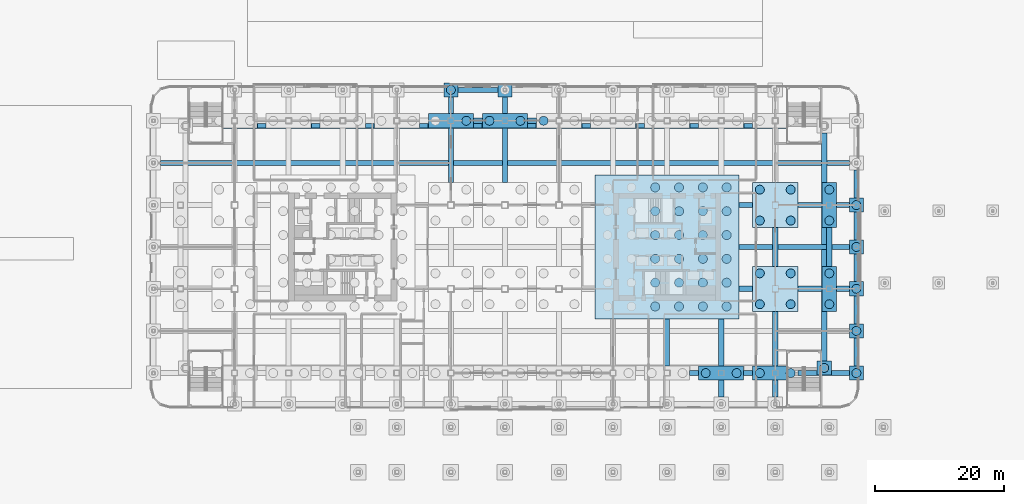
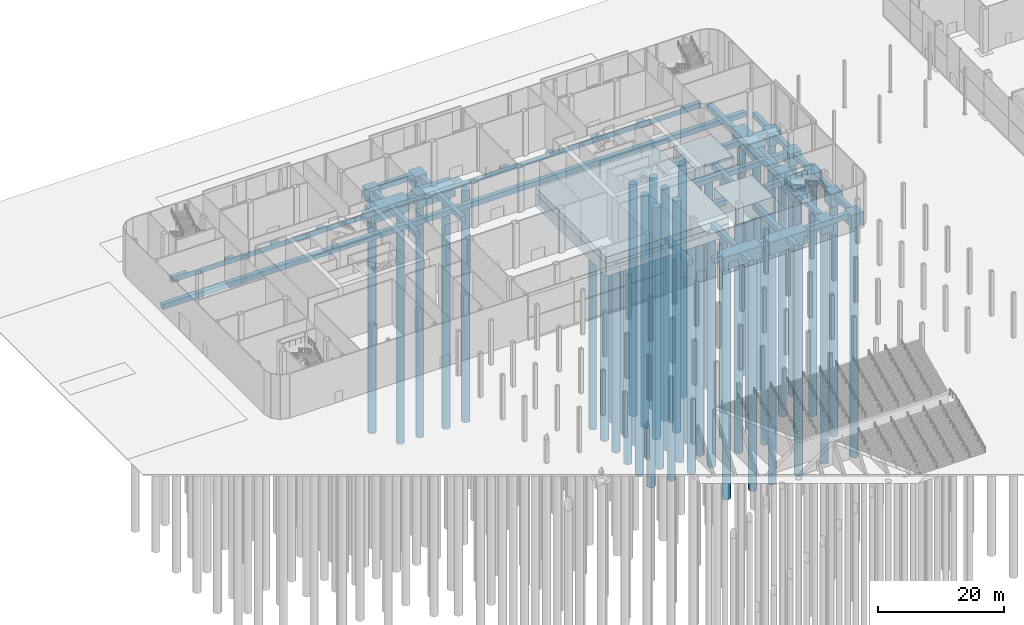
# One storey, part 5 of 113: 51 piles, 50 footings.
"""IFC4 building model written with IfcOpenShell, lengths in metres."""

from ifc_helpers import new_model, si_unit, direction, frame, origin, origin_2d, place, context, subcontext, project, spatial, polyline, circle, outline, extrude, material, layer, layer_set, material_profile, profile_set, type_object, element, save


model = new_model("IFC4")

# Units and contexts
model_context = context("Model", 3, precision=1e-05, world=origin(), true_north=direction((0.0, 1.0)))
body_context = subcontext(model_context, "Body", "Model", "MODEL_VIEW")
ifc_project = project(units=[si_unit("LENGTHUNIT", "METRE"), si_unit("AREAUNIT", "SQUARE_METRE"), si_unit("VOLUMEUNIT", "CUBIC_METRE"), si_unit("PLANEANGLEUNIT", "RADIAN"), si_unit("MASSUNIT", "GRAM", prefix="KILO")], contexts=[model_context])

# Site, building, storey
site_placement = place(None, origin())
site = spatial("IfcSite", under=ifc_project, at=site_placement, CompositionType="ELEMENT")
building_placement = place(site_placement, origin())
building = spatial("IfcBuilding", under=site, at=building_placement, Name="Hakoniwa Tower and Hamabe Station Hall", CompositionType="ELEMENT")
storey_placement = place(building_placement, origin())
storey = spatial("IfcBuildingStorey", under=building, at=storey_placement, Name="L01", CompositionType="ELEMENT", Elevation=0.0)

# Piles
ifc_material_1 = material(Name="Concrete C36", Category="concrete")
ifc_material_profile = material_profile(ifc_material_1, circle(Radius=0.699951171875, at=origin_2d()), Name="BORED PILE D1400")
ifc_profile_set = profile_set([ifc_material_profile], Name="Concrete C36")
pile_type = type_object("IfcPileType", Name="BORED PILE D1400", PredefinedType="BORED", material=ifc_profile_set)
for number, where, z_axis, x_axis, name in (
    (1, (23.35009765625, -9.25, -4.0), (0.0, 0.0, -1.0), (1.0, 0.0, 0.0), "Raft pile E-31"),
    (2, (23.35009765625, -5.550048828125, -4.0), (0.0, 0.0, -1.0), (1.0, 0.0, 0.0), "Raft pile E-32"),
    (3, (23.35009765625, -1.85009765625, -4.0), (0.0, 0.0, -1.0), (1.0, 0.0, 0.0), "Raft pile E-33"),
    (4, (23.35009765625, 1.85009765625, -4.0), (0.0, 0.0, -1.0), (1.0, 0.0, 0.0), "Raft pile E-34"),
    (5, (23.35009765625, 5.550048828125, -4.0), (0.0, 0.0, -1.0), (1.0, 0.0, 0.0), "Raft pile E-35"),
    (6, (23.35009765625, 9.25, -4.0), (0.0, 0.0, -1.0), (1.0, 0.0, 0.0), "Raft pile E-36"),
    (7, (27.050048828125, -9.25, -4.0), (0.0, 0.0, -1.0), (1.0, 0.0, 0.0), "Raft pile E-41"),
    (8, (27.050048828125, -5.550048828125, -4.0), (0.0, 0.0, -1.0), (1.0, 0.0, 0.0), "Raft pile E-42"),
    (9, (27.050048828125, -1.85009765625, -4.0), (0.0, 0.0, -1.0), (1.0, 0.0, 0.0), "Raft pile E-43"),
    (10, (27.050048828125, 1.85009765625, -4.0), (0.0, 0.0, -1.0), (1.0, 0.0, 0.0), "Raft pile E-44"),
    (11, (27.050048828125, 5.550048828125, -4.0), (0.0, 0.0, -1.0), (1.0, 0.0, 0.0), "Raft pile E-45"),
    (12, (27.050048828125, 9.25, -4.0), (0.0, 0.0, -1.0), (1.0, 0.0, 0.0), "Raft pile E-46"),
    (13, (30.75, -9.25, -4.0), (0.0, 0.0, -1.0), (1.0, 0.0, 0.0), "Raft pile E-51"),
    (14, (30.75, -5.550048828125, -4.0), (0.0, 0.0, -1.0), (1.0, 0.0, 0.0), "Raft pile E-52"),
    (15, (30.75, -1.85009765625, -4.0), (0.0, 0.0, -1.0), (1.0, 0.0, 0.0), "Raft pile E-53"),
    (16, (30.75, 1.85009765625, -4.0), (0.0, 0.0, -1.0), (1.0, 0.0, 0.0), "Raft pile E-54"),
    (17, (30.75, 5.550048828125, -4.0), (0.0, 0.0, -1.0), (1.0, 0.0, 0.0), "Raft pile E-55"),
    (18, (30.75, 9.25, -4.0), (0.0, 0.0, -1.0), (1.0, 0.0, 0.0), "Raft pile E-56"),
    (19, (34.449951171875, -9.25, -4.0), (0.0, 0.0, -1.0), (1.0, 0.0, 0.0), "Raft pile E-61"),
    (20, (34.449951171875, -5.550048828125, -4.0), (0.0, 0.0, -1.0), (1.0, 0.0, 0.0), "Raft pile E-62"),
    (21, (34.449951171875, -1.85009765625, -4.0), (0.0, 0.0, -1.0), (1.0, 0.0, 0.0), "Raft pile E-63"),
    (22, (34.449951171875, 1.85009765625, -4.0), (0.0, 0.0, -1.0), (1.0, 0.0, 0.0), "Raft pile E-64"),
    (23, (34.449951171875, 5.550048828125, -4.0), (0.0, 0.0, -1.0), (1.0, 0.0, 0.0), "Raft pile E-65"),
    (24, (34.449951171875, 9.25, -4.0), (0.0, 0.0, -1.0), (1.0, 0.0, 0.0), "Raft pile E-66"),
    (25, (-6.0, 19.60009765625, -2.800048828125), (0.0, 0.0, -1.0), (1.0, 0.0, 0.0), "Pile P-6-G1 2"),
    (26, (-2.39990234375, 19.60009765625, -2.800048828125), (0.0, 0.0, -1.0), (1.0, 0.0, 0.0), "Pile P-7-G1 1"),
    (27, (2.39990234375, 19.60009765625, -2.800048828125), (0.0, 0.0, -1.0), (1.0, 0.0, 0.0), "Pile P-7-G1 2"),
    (28, (6.0, 19.60009765625, -2.800048828125), (0.0, 0.0, -1.0), (1.0, 0.0, 0.0), "Pile P-8-G1 1"),
    (29, (31.199951171875, -19.60009765625, -2.800048828125), (0.0, 0.0, -1.0), (1.0, 0.0, 0.0), "Pile P-11-A1 1"),
    (30, (36.0, -19.60009765625, -2.800048828125), (0.0, 0.0, -1.0), (1.0, 0.0, 0.0), "Pile P-11-A1 2"),
    (31, (39.60009765625, -19.60009765625, -2.800048828125), (0.0, 0.0, -1.0), (1.0, 0.0, 0.0), "Pile P-12-A1 1"),
    (32, (44.39990234375, -19.60009765625, -2.800048828125), (0.0, 0.0, -1.0), (1.0, 0.0, 0.0), "Pile P-12-A1 2"),
    (33, (39.60009765625, -8.89990234375, -3.300048828125), (0.0, 0.0, -1.0), (1.0, 0.0, 0.0), "Pile P-12-C1 1-1"),
    (34, (39.60009765625, -4.10009765625, -3.300048828125), (0.0, 0.0, -1.0), (1.0, 0.0, 0.0), "Pile P-12-C1 1-2"),
    (35, (44.39990234375, -8.89990234375, -3.300048828125), (0.0, 0.0, -1.0), (1.0, 0.0, 0.0), "Pile P-12-C1 2-1"),
    (36, (44.39990234375, -4.10009765625, -3.300048828125), (0.0, 0.0, -1.0), (1.0, 0.0, 0.0), "Pile P-12-C1 2-2"),
    (37, (39.60009765625, 4.10009765625, -3.300048828125), (0.0, 0.0, -1.0), (1.0, 0.0, 0.0), "Pile P-12-E1 1-1"),
    (38, (39.60009765625, 8.89990234375, -3.300048828125), (0.0, 0.0, -1.0), (1.0, 0.0, 0.0), "Pile P-12-E1 1-2"),
    (39, (44.39990234375, 4.10009765625, -3.300048828125), (0.0, 0.0, -1.0), (1.0, 0.0, 0.0), "Pile P-12-E1 2-1"),
    (40, (44.39990234375, 8.89990234375, -3.300048828125), (0.0, 0.0, -1.0), (1.0, 0.0, 0.0), "Pile P-12-E1 2-2"),
    (41, (49.60302734375, -18.802978515625, -2.800048828125), (0.0, 0.0, -1.0), (1.0, 0.0, 0.0), "Pile P-13-A1 1"),
    (42, (50.39990234375, -8.89990234375, -2.800048828125), (0.0, 0.0, -1.0), (1.0, 0.0, 0.0), "Pile P-13-C1 1-1"),
    (43, (50.39990234375, -4.10009765625, -2.800048828125), (0.0, 0.0, -1.0), (1.0, 0.0, 0.0), "Pile P-13-C1 1-2"),
    (44, (50.39990234375, 4.10009765625, -2.800048828125), (0.0, 0.0, -1.0), (1.0, 0.0, 0.0), "Pile P-13-E1 1-1"),
    (45, (50.39990234375, 8.89990234375, -2.800048828125), (0.0, 0.0, -1.0), (1.0, 0.0, 0.0), "Pile P-13-E1 1-2"),
    (46, (-8.39990234375, 24.39990234375, -2.800048828125), (0.0, 0.0, -1.0), (1.0, 0.0, 0.0), "Pile P-6-RN 1"),
    (47, (54.60009765625, -19.60009765625, -2.800048828125), (0.0, 0.0, -1.0), (1.0, 0.0, 0.0), "Pile P-RE-A1 1"),
    (48, (54.60009765625, -13.050048828125, -2.800048828125), (0.0, 0.0, -1.0), (1.0, 0.0, 0.0), "Pile P-RE-B1 1"),
    (49, (54.60009765625, -6.5, -2.800048828125), (0.0, 0.0, -1.0), (1.0, 0.0, 0.0), "Pile P-RE-C1 1"),
    (50, (54.60009765625, 0.0, -2.800048828125), (0.0, 0.0, -1.0), (1.0, 0.0, 0.0), "Pile P-RE-D1 1"),
    (51, (54.60009765625, 6.5, -2.800048828125), (0.0, 0.0, -1.0), (1.0, 0.0, 0.0), "Pile P-RE-E1 1"),
):
    element("IfcPile", number, at=place(storey_placement, frame(where, z_axis=z_axis, x_axis=x_axis)), inside=storey, type_object=pile_type, Name=name, PredefinedType="BORED", context=body_context, shape_type="SweptSolid", body=[
        extrude(circle(Radius=0.699951171875, at=origin_2d()), origin(), (0.0, 0.0, 1.0), 45.0),
    ])

# Footings
ifc_material_2 = material(Name="Concrete C36", Category="concrete")
ifc_layer_1 = layer(ifc_material_2, 2.39990234375)
ifc_layer_set_1 = layer_set([ifc_layer_1], Name="CORE RAFT BASE")
footing_type_1 = type_object("IfcFootingType", Name="CORE RAFT BASE", PredefinedType="PILE_CAP", material=ifc_layer_set_1)
footing_1_placement = place(storey_placement, frame((0.0, 0.0, -4.0)))
element("IfcFooting", 52, at=footing_1_placement, inside=storey, type_object=footing_type_1, Name="Core raft E base", PredefinedType="PILE_CAP", context=body_context, shape_type="SweptSolid", body=[
    extrude(outline(polyline([(36.39990234375, -11.199951171875), (36.39990234375, 11.199951171875), (14.0, 11.199951171875), (14.0, -11.199951171875), (36.39990234375, -11.199951171875)])), origin(), (0.0, 0.0, 1.0), 2.39990234375),
])
ifc_material_3 = material(Name="Concrete C36", Category="concrete")
ifc_layer_2 = layer(ifc_material_3, 1.300048828125)
ifc_layer_set_2 = layer_set([ifc_layer_2], Name="CORE RAFT UPPER")
footing_type_2 = type_object("IfcFootingType", Name="CORE RAFT UPPER", PredefinedType="PILE_CAP", material=ifc_layer_set_2)
footing_2_placement = place(storey_placement, frame((0.0, 0.0, -1.60009765625)))
element("IfcFooting", 53, at=footing_2_placement, inside=storey, type_object=footing_type_2, Name="Core raft E upper", PredefinedType="PILE_CAP", context=body_context, shape_type="SweptSolid", body=[
    extrude(outline(polyline([(36.39990234375, -11.199951171875), (36.39990234375, 11.199951171875), (14.0, 11.199951171875), (14.0, -11.199951171875), (36.39990234375, -11.199951171875)])), origin(), (0.0, 0.0, 1.0), 1.300048828125),
])
ifc_material_4 = material(Name="Concrete C36", Category="concrete")
ifc_layer_3 = layer(ifc_material_4, 1.0)
ifc_layer_set_3 = layer_set([ifc_layer_3], Name="GROUND TIE BEAM")
footing_type_3 = type_object("IfcFootingType", Name="GROUND TIE BEAM", PredefinedType="FOOTING_BEAM", material=ifc_layer_set_3)
footing_3_placement = place(storey_placement, frame((0.0, 0.0, -1.300048828125)))
element("IfcFooting", 54, at=footing_3_placement, inside=storey, type_object=footing_type_3, Name="Ground tie P-10-A1 to P-11-A1", PredefinedType="FOOTING_BEAM", context=body_context, shape_type="SweptSolid", body=[
    extrude(outline(polyline([(28.699951171875, -19.199951171875), (28.699951171875, -20.0), (30.10009765625, -20.0), (30.10009765625, -19.199951171875), (28.699951171875, -19.199951171875)])), origin(), (0.0, 0.0, 1.0), 1.0),
])
footing_4_placement = place(storey_placement, frame((0.0, 0.0, -1.300048828125)))
element("IfcFooting", 55, at=footing_4_placement, inside=storey, type_object=footing_type_3, Name="Ground tie P-11-A1 to P-12-A1", PredefinedType="FOOTING_BEAM", context=body_context, shape_type="SweptSolid", body=[
    extrude(outline(polyline([(37.10009765625, -19.199951171875), (37.10009765625, -20.0), (38.5, -20.0), (38.5, -19.199951171875), (37.10009765625, -19.199951171875)])), origin(), (0.0, 0.0, 1.0), 1.0),
])
footing_5_placement = place(storey_placement, frame((0.0, 0.0, -1.300048828125)))
element("IfcFooting", 56, at=footing_5_placement, inside=storey, type_object=footing_type_3, Name="Ground tie P-12-A1 to P-RE-A1", PredefinedType="FOOTING_BEAM", context=body_context, shape_type="SweptSolid", body=[
    extrude(outline(polyline([(45.5, -19.199951171875), (45.5, -20.0), (53.5, -20.0), (53.5, -19.199951171875), (50.703125, -19.199951171875), (50.703125, -19.903076171875), (48.503173828125, -19.903076171875), (48.503173828125, -19.199951171875), (45.5, -19.199951171875)])), origin(), (0.0, 0.0, 1.0), 1.0),
])
footing_6_placement = place(storey_placement, frame((0.0, 0.0, -1.300048828125)))
element("IfcFooting", 57, at=footing_6_placement, inside=storey, type_object=footing_type_3, Name="Ground tie P-8-C1 to P-12-C1 2", PredefinedType="FOOTING_BEAM", context=body_context, shape_type="SweptSolid", body=[
    extrude(outline(polyline([(38.5, -6.10009765625), (36.39990234375, -6.10009765625), (36.39990234375, -6.89990234375), (38.5, -6.89990234375), (38.5, -6.10009765625)])), origin(), (0.0, 0.0, 1.0), 1.0),
])
footing_7_placement = place(storey_placement, frame((0.0, 0.0, -1.300048828125)))
element("IfcFooting", 58, at=footing_7_placement, inside=storey, type_object=footing_type_3, Name="Ground tie P-12-C1 to P-13-C1", PredefinedType="FOOTING_BEAM", context=body_context, shape_type="SweptSolid", body=[
    extrude(outline(polyline([(45.5, -6.10009765625), (45.5, -6.89990234375), (49.300048828125, -6.89990234375), (49.300048828125, -6.10009765625), (45.5, -6.10009765625)])), origin(), (0.0, 0.0, 1.0), 1.0),
])
footing_8_placement = place(storey_placement, frame((0.0, 0.0, -1.300048828125)))
element("IfcFooting", 59, at=footing_8_placement, inside=storey, type_object=footing_type_3, Name="Ground tie P-13-C1 to P-RE-C1", PredefinedType="FOOTING_BEAM", context=body_context, shape_type="SweptSolid", body=[
    extrude(outline(polyline([(51.5, -6.10009765625), (51.5, -6.89990234375), (53.5, -6.89990234375), (53.5, -6.10009765625), (51.5, -6.10009765625)])), origin(), (0.0, 0.0, 1.0), 1.0),
])
footing_9_placement = place(storey_placement, frame((0.0, 0.0, -1.300048828125)))
element("IfcFooting", 60, at=footing_9_placement, inside=storey, type_object=footing_type_3, Name="Ground tie P-RW-D1 to P-RE-D1", PredefinedType="FOOTING_BEAM", context=body_context, shape_type="SweptSolid", body=[
    extrude(outline(polyline([(53.5, -0.39990234375), (53.5, 0.39990234375), (36.39990234375, 0.39990234375), (36.39990234375, -0.39990234375), (53.5, -0.39990234375)])), origin(), (0.0, 0.0, 1.0), 1.0),
])
footing_10_placement = place(storey_placement, frame((0.0, 0.0, -1.300048828125)))
element("IfcFooting", 61, at=footing_10_placement, inside=storey, type_object=footing_type_3, Name="Ground tie P-8-E1 to P-12-E1 2", PredefinedType="FOOTING_BEAM", context=body_context, shape_type="SweptSolid", body=[
    extrude(outline(polyline([(38.5, 6.89990234375), (36.39990234375, 6.89990234375), (36.39990234375, 6.10009765625), (38.5, 6.10009765625), (38.5, 6.89990234375)])), origin(), (0.0, 0.0, 1.0), 1.0),
])
footing_11_placement = place(storey_placement, frame((0.0, 0.0, -1.300048828125)))
element("IfcFooting", 62, at=footing_11_placement, inside=storey, type_object=footing_type_3, Name="Ground tie P-12-E1 to P-13-E1", PredefinedType="FOOTING_BEAM", context=body_context, shape_type="SweptSolid", body=[
    extrude(outline(polyline([(45.5, 6.89990234375), (45.5, 6.10009765625), (49.300048828125, 6.10009765625), (49.300048828125, 6.89990234375), (45.5, 6.89990234375)])), origin(), (0.0, 0.0, 1.0), 1.0),
])
footing_12_placement = place(storey_placement, frame((0.0, 0.0, -1.300048828125)))
element("IfcFooting", 63, at=footing_12_placement, inside=storey, type_object=footing_type_3, Name="Ground tie P-13-E1 to P-RE-E1", PredefinedType="FOOTING_BEAM", context=body_context, shape_type="SweptSolid", body=[
    extrude(outline(polyline([(51.5, 6.89990234375), (51.5, 6.10009765625), (53.5, 6.10009765625), (53.5, 6.89990234375), (51.5, 6.89990234375)])), origin(), (0.0, 0.0, 1.0), 1.0),
])
footing_13_placement = place(storey_placement, frame((0.0, 0.0, -1.300048828125)))
element("IfcFooting", 64, at=footing_13_placement, inside=storey, type_object=footing_type_3, Name="Ground tie P-RW-F1 to P-RE-F1", PredefinedType="FOOTING_BEAM", context=body_context, shape_type="SweptSolid", body=[
    extrude(outline(polyline([(-53.5, 13.449951171875), (-53.5, 12.64990234375), (53.5, 12.64990234375), (53.5, 13.449951171875), (-53.5, 13.449951171875)])), origin(), (0.0, 0.0, 1.0), 1.0),
])
footing_14_placement = place(storey_placement, frame((0.0, 0.0, -1.300048828125)))
element("IfcFooting", 65, at=footing_14_placement, inside=storey, type_object=footing_type_3, Name="Ground tie P-1-G1 to P-13-G1", PredefinedType="FOOTING_BEAM", context=body_context, shape_type="SweptSolid", body=[
    extrude(outline(polyline([(-4.89990234375, 19.203125), (-4.89990234375, 18.5), (-11.89990234375, 18.5), (-11.89990234375, 19.203125), (-13.300048828125, 19.203125), (-13.300048828125, 18.5), (-20.300048828125, 18.5), (-20.300048828125, 19.203125), (-21.699951171875, 19.203125), (-21.699951171875, 18.5), (-28.699951171875, 18.5), (-28.699951171875, 19.203125), (-30.10009765625, 19.203125), (-30.10009765625, 18.5), (-37.10009765625, 18.5), (-37.10009765625, 19.203125), (-38.5, 19.203125), (-38.5, 18.5), (-45.5, 18.5), (-45.5, 19.203125), (-48.503173828125, 19.203125), (-48.503173828125, 18.403076171875), (48.503173828125, 18.403076171875), (48.503173828125, 19.203125), (45.5, 19.203125), (45.5, 18.5), (38.5, 18.5), (38.5, 19.203125), (37.10009765625, 19.203125), (37.10009765625, 18.5), (30.10009765625, 18.5), (30.10009765625, 19.203125), (28.699951171875, 19.203125), (28.699951171875, 18.5), (21.699951171875, 18.5), (21.699951171875, 19.203125), (20.300048828125, 19.203125), (20.300048828125, 18.5), (13.300048828125, 18.5), (13.300048828125, 19.203125), (11.89990234375, 19.203125), (11.89990234375, 18.5), (4.89990234375, 18.5), (4.89990234375, 19.203125), (3.5, 19.203125), (3.5, 18.5), (-3.5, 18.5), (-3.5, 19.203125), (-4.89990234375, 19.203125)])), origin(), (0.0, 0.0, 1.0), 1.0),
])
footing_15_placement = place(storey_placement, frame((0.0, 0.0, -1.300048828125)))
element("IfcFooting", 66, at=footing_15_placement, inside=storey, type_object=footing_type_3, Name="Ground tie P-6-G1 to P-7-G1", PredefinedType="FOOTING_BEAM", context=body_context, shape_type="SweptSolid", body=[
    extrude(outline(polyline([(-4.89990234375, 20.0), (-4.89990234375, 19.199951171875), (-3.5, 19.199951171875), (-3.5, 20.0), (-4.89990234375, 20.0)])), origin(), (0.0, 0.0, 1.0), 1.0),
])
footing_16_placement = place(storey_placement, frame((0.0, 0.0, -1.300048828125)))
element("IfcFooting", 67, at=footing_16_placement, inside=storey, type_object=footing_type_3, Name="Ground tie P-7-G1 to P-8-G1", PredefinedType="FOOTING_BEAM", context=body_context, shape_type="SweptSolid", body=[
    extrude(outline(polyline([(3.5, 20.0), (3.5, 19.199951171875), (4.89990234375, 19.199951171875), (4.89990234375, 20.0), (3.5, 20.0)])), origin(), (0.0, 0.0, 1.0), 1.0),
])
footing_17_placement = place(storey_placement, frame((0.0, 0.0, -1.300048828125)))
element("IfcFooting", 68, at=footing_17_placement, inside=storey, type_object=footing_type_3, Name="Ground tie P-6-RN to P-7-RN", PredefinedType="FOOTING_BEAM", context=body_context, shape_type="SweptSolid", body=[
    extrude(outline(polyline([(-7.300048828125, 24.800048828125), (-7.300048828125, 24.0), (-1.10009765625, 24.0), (-1.10009765625, 24.800048828125), (-7.300048828125, 24.800048828125)])), origin(), (0.0, 0.0, 1.0), 1.0),
])
footing_18_placement = place(storey_placement, frame((0.0, 0.0, -1.300048828125)))
element("IfcFooting", 69, at=footing_18_placement, inside=storey, type_object=footing_type_3, Name="Ground tie P-6-E1 to P-6-G1 1", PredefinedType="FOOTING_BEAM", context=body_context, shape_type="SweptSolid", body=[
    extrude(outline(polyline([(-8.800048828125, 18.5), (-8.800048828125, 10.0), (-8.0, 10.0), (-8.0, 18.5), (-8.800048828125, 18.5)])), origin(), (0.0, 0.0, 1.0), 1.0),
])
footing_19_placement = place(storey_placement, frame((0.0, 0.0, -1.300048828125)))
element("IfcFooting", 70, at=footing_19_placement, inside=storey, type_object=footing_type_3, Name="Ground tie P-6-G1 to P-6-RN 1", PredefinedType="FOOTING_BEAM", context=body_context, shape_type="SweptSolid", body=[
    extrude(outline(polyline([(-8.800048828125, 23.300048828125), (-8.800048828125, 20.699951171875), (-8.0, 20.699951171875), (-8.0, 23.300048828125), (-8.800048828125, 23.300048828125)])), origin(), (0.0, 0.0, 1.0), 1.0),
])
footing_20_placement = place(storey_placement, frame((0.0, 0.0, -1.300048828125)))
element("IfcFooting", 71, at=footing_20_placement, inside=storey, type_object=footing_type_3, Name="Ground tie P-7-E1 to P-7-G1 1", PredefinedType="FOOTING_BEAM", context=body_context, shape_type="SweptSolid", body=[
    extrude(outline(polyline([(-0.39990234375, 18.5), (-0.39990234375, 10.0), (0.39990234375, 10.0), (0.39990234375, 18.5), (-0.39990234375, 18.5)])), origin(), (0.0, 0.0, 1.0), 1.0),
])
footing_21_placement = place(storey_placement, frame((0.0, 0.0, -1.300048828125)))
element("IfcFooting", 72, at=footing_21_placement, inside=storey, type_object=footing_type_3, Name="Ground tie P-7-G1 to P-7-RN 1", PredefinedType="FOOTING_BEAM", context=body_context, shape_type="SweptSolid", body=[
    extrude(outline(polyline([(-0.39990234375, 23.300048828125), (-0.39990234375, 20.699951171875), (0.39990234375, 20.699951171875), (0.39990234375, 23.300048828125), (-0.39990234375, 23.300048828125)])), origin(), (0.0, 0.0, 1.0), 1.0),
])
footing_22_placement = place(storey_placement, frame((0.0, 0.0, -1.300048828125)))
element("IfcFooting", 73, at=footing_22_placement, inside=storey, type_object=footing_type_3, Name="Ground tie P-10-A1 to P-10-G1 1", PredefinedType="FOOTING_BEAM", context=body_context, shape_type="SweptSolid", body=[
    extrude(outline(polyline([(24.800048828125, -11.199951171875), (24.800048828125, -18.5), (25.60009765625, -18.5), (25.60009765625, -11.199951171875), (24.800048828125, -11.199951171875)])), origin(), (0.0, 0.0, 1.0), 1.0),
])
footing_23_placement = place(storey_placement, frame((0.0, 0.0, -1.300048828125)))
element("IfcFooting", 74, at=footing_23_placement, inside=storey, type_object=footing_type_3, Name="Ground tie P-11-RS to P-11-A1 1", PredefinedType="FOOTING_BEAM", context=body_context, shape_type="SweptSolid", body=[
    extrude(outline(polyline([(33.199951171875, -20.699951171875), (33.199951171875, -23.300048828125), (34.0, -23.300048828125), (34.0, -20.699951171875), (33.199951171875, -20.699951171875)])), origin(), (0.0, 0.0, 1.0), 1.0),
])
footing_24_placement = place(storey_placement, frame((0.0, 0.0, -1.300048828125)))
element("IfcFooting", 75, at=footing_24_placement, inside=storey, type_object=footing_type_3, Name="Ground tie P-11-A1 to P-11-G1 1", PredefinedType="FOOTING_BEAM", context=body_context, shape_type="SweptSolid", body=[
    extrude(outline(polyline([(33.199951171875, -11.199951171875), (33.199951171875, -18.5), (34.0, -18.5), (34.0, -11.199951171875), (33.199951171875, -11.199951171875)])), origin(), (0.0, 0.0, 1.0), 1.0),
])
footing_25_placement = place(storey_placement, frame((0.0, 0.0, -1.300048828125)))
element("IfcFooting", 76, at=footing_25_placement, inside=storey, type_object=footing_type_3, Name="Ground tie P-12-RS to P-12-A1 1", PredefinedType="FOOTING_BEAM", context=body_context, shape_type="SweptSolid", body=[
    extrude(outline(polyline([(41.60009765625, -20.699951171875), (41.60009765625, -23.300048828125), (42.39990234375, -23.300048828125), (42.39990234375, -20.699951171875), (41.60009765625, -20.699951171875)])), origin(), (0.0, 0.0, 1.0), 1.0),
])
footing_26_placement = place(storey_placement, frame((0.0, 0.0, -1.300048828125)))
element("IfcFooting", 77, at=footing_26_placement, inside=storey, type_object=footing_type_3, Name="Ground tie P-12-A1 to P-12-C1 1", PredefinedType="FOOTING_BEAM", context=body_context, shape_type="SweptSolid", body=[
    extrude(outline(polyline([(41.60009765625, -10.0), (41.60009765625, -18.5), (42.39990234375, -18.5), (42.39990234375, -10.0), (41.60009765625, -10.0)])), origin(), (0.0, 0.0, 1.0), 1.0),
])
footing_27_placement = place(storey_placement, frame((0.0, 0.0, -1.300048828125)))
element("IfcFooting", 78, at=footing_27_placement, inside=storey, type_object=footing_type_3, Name="Ground tie P-12-C1 to P-12-E1 1", PredefinedType="FOOTING_BEAM", context=body_context, shape_type="SweptSolid", body=[
    extrude(outline(polyline([(41.60009765625, 3.0), (41.60009765625, -3.0), (42.39990234375, -3.0), (42.39990234375, 3.0), (41.60009765625, 3.0)])), origin(), (0.0, 0.0, 1.0), 1.0),
])
footing_28_placement = place(storey_placement, frame((0.0, 0.0, -1.300048828125)))
element("IfcFooting", 79, at=footing_28_placement, inside=storey, type_object=footing_type_3, Name="Ground tie P-13-A1 to P-13-G1 1", PredefinedType="FOOTING_BEAM", context=body_context, shape_type="SweptSolid", body=[
    extrude(outline(polyline([(49.300048828125, -10.0), (49.300048828125, -3.0), (50.003173828125, -3.0), (50.003173828125, 3.0), (49.300048828125, 3.0), (49.300048828125, 10.0), (50.003173828125, 10.0), (50.003173828125, 17.703125), (49.203125, 17.703125), (49.203125, -17.703125), (50.003173828125, -17.703125), (50.003173828125, -10.0), (49.300048828125, -10.0)])), origin(), (0.0, 0.0, 1.0), 1.0),
])
footing_29_placement = place(storey_placement, frame((0.0, 0.0, -1.300048828125)))
element("IfcFooting", 80, at=footing_29_placement, inside=storey, type_object=footing_type_3, Name="Ground tie P-13-C1 to P-13-E1 1", PredefinedType="FOOTING_BEAM", context=body_context, shape_type="SweptSolid", body=[
    extrude(outline(polyline([(50.0, 3.0), (50.0, -3.0), (50.800048828125, -3.0), (50.800048828125, 3.0), (50.0, 3.0)])), origin(), (0.0, 0.0, 1.0), 1.0),
])
footing_30_placement = place(storey_placement, frame((0.0, 0.0, -1.300048828125)))
element("IfcFooting", 81, at=footing_30_placement, inside=storey, type_object=footing_type_3, Name="Ground tie P-RE-A1 to P-RE-B1 1", PredefinedType="FOOTING_BEAM", context=body_context, shape_type="SweptSolid", body=[
    extrude(outline(polyline([(54.199951171875, -14.14990234375), (54.199951171875, -18.5), (55.0, -18.5), (55.0, -14.14990234375), (54.199951171875, -14.14990234375)])), origin(), (0.0, 0.0, 1.0), 1.0),
])
footing_31_placement = place(storey_placement, frame((0.0, 0.0, -1.300048828125)))
element("IfcFooting", 82, at=footing_31_placement, inside=storey, type_object=footing_type_3, Name="Ground tie P-RE-B1 to P-RE-C1 1", PredefinedType="FOOTING_BEAM", context=body_context, shape_type="SweptSolid", body=[
    extrude(outline(polyline([(54.199951171875, -7.60009765625), (54.199951171875, -11.949951171875), (55.0, -11.949951171875), (55.0, -7.60009765625), (54.199951171875, -7.60009765625)])), origin(), (0.0, 0.0, 1.0), 1.0),
])
footing_32_placement = place(storey_placement, frame((0.0, 0.0, -1.300048828125)))
element("IfcFooting", 83, at=footing_32_placement, inside=storey, type_object=footing_type_3, Name="Ground tie P-RE-C1 to P-RE-D1 1", PredefinedType="FOOTING_BEAM", context=body_context, shape_type="SweptSolid", body=[
    extrude(outline(polyline([(54.199951171875, -1.10009765625), (54.199951171875, -5.39990234375), (55.0, -5.39990234375), (55.0, -1.10009765625), (54.199951171875, -1.10009765625)])), origin(), (0.0, 0.0, 1.0), 1.0),
])
footing_33_placement = place(storey_placement, frame((0.0, 0.0, -1.300048828125)))
element("IfcFooting", 84, at=footing_33_placement, inside=storey, type_object=footing_type_3, Name="Ground tie P-RE-D1 to P-RE-E1 1", PredefinedType="FOOTING_BEAM", context=body_context, shape_type="SweptSolid", body=[
    extrude(outline(polyline([(54.199951171875, 5.39990234375), (54.199951171875, 1.10009765625), (55.0, 1.10009765625), (55.0, 5.39990234375), (54.199951171875, 5.39990234375)])), origin(), (0.0, 0.0, 1.0), 1.0),
])
footing_34_placement = place(storey_placement, frame((0.0, 0.0, -1.300048828125)))
element("IfcFooting", 85, at=footing_34_placement, inside=storey, type_object=footing_type_3, Name="Ground tie P-RE-E1 to P-RE-F1 1", PredefinedType="FOOTING_BEAM", context=body_context, shape_type="SweptSolid", body=[
    extrude(outline(polyline([(54.199951171875, 11.949951171875), (54.199951171875, 7.60009765625), (55.0, 7.60009765625), (55.0, 11.949951171875), (54.199951171875, 11.949951171875)])), origin(), (0.0, 0.0, 1.0), 1.0),
])
ifc_material_5 = material(Name="Concrete C36", Category="concrete")
ifc_layer_4 = layer(ifc_material_5, 2.5)
ifc_layer_set_4 = layer_set([ifc_layer_4], Name="PILE CAP 1 PILE")
footing_type_4 = type_object("IfcFootingType", Name="PILE CAP 1 PILE", PredefinedType="PILE_CAP", material=ifc_layer_set_4)
footing_35_placement = place(storey_placement, frame((0.0, 0.0, -2.800048828125)))
element("IfcFooting", 86, at=footing_35_placement, inside=storey, type_object=footing_type_4, Name="Pile cap P-13-A1", PredefinedType="PILE_CAP", context=body_context, shape_type="SweptSolid", body=[
    extrude(outline(polyline([(50.703125, -19.903076171875), (50.703125, -17.703125), (48.503173828125, -17.703125), (48.503173828125, -19.903076171875), (50.703125, -19.903076171875)])), origin(), (0.0, 0.0, 1.0), 2.5),
])
footing_36_placement = place(storey_placement, frame((0.0, 0.0, -2.800048828125)))
element("IfcFooting", 87, at=footing_36_placement, inside=storey, type_object=footing_type_4, Name="Pile cap P-6-RN", PredefinedType="PILE_CAP", context=body_context, shape_type="SweptSolid", body=[
    extrude(outline(polyline([(-7.300048828125, 23.300048828125), (-7.300048828125, 25.5), (-9.5, 25.5), (-9.5, 23.300048828125), (-7.300048828125, 23.300048828125)])), origin(), (0.0, 0.0, 1.0), 2.5),
])
footing_37_placement = place(storey_placement, frame((0.0, 0.0, -2.800048828125)))
element("IfcFooting", 88, at=footing_37_placement, inside=storey, type_object=footing_type_4, Name="Pile cap P-7-RN", PredefinedType="PILE_CAP", context=body_context, shape_type="SweptSolid", body=[
    extrude(outline(polyline([(1.10009765625, 23.300048828125), (1.10009765625, 25.5), (-1.10009765625, 25.5), (-1.10009765625, 23.300048828125), (1.10009765625, 23.300048828125)])), origin(), (0.0, 0.0, 1.0), 2.5),
])
footing_38_placement = place(storey_placement, frame((0.0, 0.0, -2.800048828125)))
element("IfcFooting", 89, at=footing_38_placement, inside=storey, type_object=footing_type_4, Name="Pile cap P-RE-A1", PredefinedType="PILE_CAP", context=body_context, shape_type="SweptSolid", body=[
    extrude(outline(polyline([(55.699951171875, -20.699951171875), (55.699951171875, -18.5), (53.5, -18.5), (53.5, -20.699951171875), (55.699951171875, -20.699951171875)])), origin(), (0.0, 0.0, 1.0), 2.5),
])
footing_39_placement = place(storey_placement, frame((0.0, 0.0, -2.800048828125)))
element("IfcFooting", 90, at=footing_39_placement, inside=storey, type_object=footing_type_4, Name="Pile cap P-RE-B1", PredefinedType="PILE_CAP", context=body_context, shape_type="SweptSolid", body=[
    extrude(outline(polyline([(55.699951171875, -14.14990234375), (55.699951171875, -11.949951171875), (53.5, -11.949951171875), (53.5, -14.14990234375), (55.699951171875, -14.14990234375)])), origin(), (0.0, 0.0, 1.0), 2.5),
])
footing_40_placement = place(storey_placement, frame((0.0, 0.0, -2.800048828125)))
element("IfcFooting", 91, at=footing_40_placement, inside=storey, type_object=footing_type_4, Name="Pile cap P-RE-C1", PredefinedType="PILE_CAP", context=body_context, shape_type="SweptSolid", body=[
    extrude(outline(polyline([(55.699951171875, -7.60009765625), (55.699951171875, -5.39990234375), (53.5, -5.39990234375), (53.5, -7.60009765625), (55.699951171875, -7.60009765625)])), origin(), (0.0, 0.0, 1.0), 2.5),
])
footing_41_placement = place(storey_placement, frame((0.0, 0.0, -2.800048828125)))
element("IfcFooting", 92, at=footing_41_placement, inside=storey, type_object=footing_type_4, Name="Pile cap P-RE-D1", PredefinedType="PILE_CAP", context=body_context, shape_type="SweptSolid", body=[
    extrude(outline(polyline([(55.699951171875, -1.10009765625), (55.699951171875, 1.10009765625), (53.5, 1.10009765625), (53.5, -1.10009765625), (55.699951171875, -1.10009765625)])), origin(), (0.0, 0.0, 1.0), 2.5),
])
footing_42_placement = place(storey_placement, frame((0.0, 0.0, -2.800048828125)))
element("IfcFooting", 93, at=footing_42_placement, inside=storey, type_object=footing_type_4, Name="Pile cap P-RE-E1", PredefinedType="PILE_CAP", context=body_context, shape_type="SweptSolid", body=[
    extrude(outline(polyline([(55.699951171875, 5.39990234375), (55.699951171875, 7.60009765625), (53.5, 7.60009765625), (53.5, 5.39990234375), (55.699951171875, 5.39990234375)])), origin(), (0.0, 0.0, 1.0), 2.5),
])
ifc_material_6 = material(Name="Concrete C36", Category="concrete")
ifc_layer_5 = layer(ifc_material_6, 2.5)
ifc_layer_set_5 = layer_set([ifc_layer_5], Name="PILE CAP 2 PILES")
footing_type_5 = type_object("IfcFootingType", Name="PILE CAP 2 PILES", PredefinedType="PILE_CAP", material=ifc_layer_set_5)
footing_43_placement = place(storey_placement, frame((0.0, 0.0, -2.800048828125)))
element("IfcFooting", 94, at=footing_43_placement, inside=storey, type_object=footing_type_5, Name="Pile cap P-6-G1", PredefinedType="PILE_CAP", context=body_context, shape_type="SweptSolid", body=[
    extrude(outline(polyline([(-4.89990234375, 18.5), (-4.89990234375, 20.699951171875), (-11.89990234375, 20.699951171875), (-11.89990234375, 18.5), (-4.89990234375, 18.5)])), origin(), (0.0, 0.0, 1.0), 2.5),
])
footing_44_placement = place(storey_placement, frame((0.0, 0.0, -2.800048828125)))
element("IfcFooting", 95, at=footing_44_placement, inside=storey, type_object=footing_type_5, Name="Pile cap P-7-G1", PredefinedType="PILE_CAP", context=body_context, shape_type="SweptSolid", body=[
    extrude(outline(polyline([(3.5, 18.5), (3.5, 20.699951171875), (-3.5, 20.699951171875), (-3.5, 18.5), (3.5, 18.5)])), origin(), (0.0, 0.0, 1.0), 2.5),
])
footing_45_placement = place(storey_placement, frame((0.0, 0.0, -2.800048828125)))
element("IfcFooting", 96, at=footing_45_placement, inside=storey, type_object=footing_type_5, Name="Pile cap P-11-A1", PredefinedType="PILE_CAP", context=body_context, shape_type="SweptSolid", body=[
    extrude(outline(polyline([(37.10009765625, -20.699951171875), (37.10009765625, -18.5), (30.10009765625, -18.5), (30.10009765625, -20.699951171875), (37.10009765625, -20.699951171875)])), origin(), (0.0, 0.0, 1.0), 2.5),
])
footing_46_placement = place(storey_placement, frame((0.0, 0.0, -2.800048828125)))
element("IfcFooting", 97, at=footing_46_placement, inside=storey, type_object=footing_type_5, Name="Pile cap P-12-A1", PredefinedType="PILE_CAP", context=body_context, shape_type="SweptSolid", body=[
    extrude(outline(polyline([(45.5, -20.699951171875), (45.5, -18.5), (38.5, -18.5), (38.5, -20.699951171875), (45.5, -20.699951171875)])), origin(), (0.0, 0.0, 1.0), 2.5),
])
footing_47_placement = place(storey_placement, frame((0.0, 0.0, -2.800048828125)))
element("IfcFooting", 98, at=footing_47_placement, inside=storey, type_object=footing_type_5, Name="Pile cap P-13-C1", PredefinedType="PILE_CAP", context=body_context, shape_type="SweptSolid", body=[
    extrude(outline(polyline([(51.5, -10.0), (51.5, -3.0), (49.300048828125, -3.0), (49.300048828125, -10.0), (51.5, -10.0)])), origin(), (0.0, 0.0, 1.0), 2.5),
])
footing_48_placement = place(storey_placement, frame((0.0, 0.0, -2.800048828125)))
element("IfcFooting", 99, at=footing_48_placement, inside=storey, type_object=footing_type_5, Name="Pile cap P-13-E1", PredefinedType="PILE_CAP", context=body_context, shape_type="SweptSolid", body=[
    extrude(outline(polyline([(51.5, 3.0), (51.5, 10.0), (49.300048828125, 10.0), (49.300048828125, 3.0), (51.5, 3.0)])), origin(), (0.0, 0.0, 1.0), 2.5),
])
ifc_material_7 = material(Name="Concrete C36", Category="concrete")
ifc_layer_6 = layer(ifc_material_7, 3.0)
ifc_layer_set_6 = layer_set([ifc_layer_6], Name="PILE CAP 4 PILES")
footing_type_6 = type_object("IfcFootingType", Name="PILE CAP 4 PILES", PredefinedType="PILE_CAP", material=ifc_layer_set_6)
footing_49_placement = place(storey_placement, frame((0.0, 0.0, -3.300048828125)))
element("IfcFooting", 100, at=footing_49_placement, inside=storey, type_object=footing_type_6, Name="Pile cap P-12-C1", PredefinedType="PILE_CAP", context=body_context, shape_type="SweptSolid", body=[
    extrude(outline(polyline([(45.5, -10.0), (45.5, -3.0), (38.5, -3.0), (38.5, -10.0), (45.5, -10.0)])), origin(), (0.0, 0.0, 1.0), 3.0),
])
footing_50_placement = place(storey_placement, frame((0.0, 0.0, -3.300048828125)))
element("IfcFooting", 101, at=footing_50_placement, inside=storey, type_object=footing_type_6, Name="Pile cap P-12-E1", PredefinedType="PILE_CAP", context=body_context, shape_type="SweptSolid", body=[
    extrude(outline(polyline([(45.5, 3.0), (45.5, 10.0), (38.5, 10.0), (38.5, 3.0), (45.5, 3.0)])), origin(), (0.0, 0.0, 1.0), 3.0),
])

save(model, "model.ifc")
